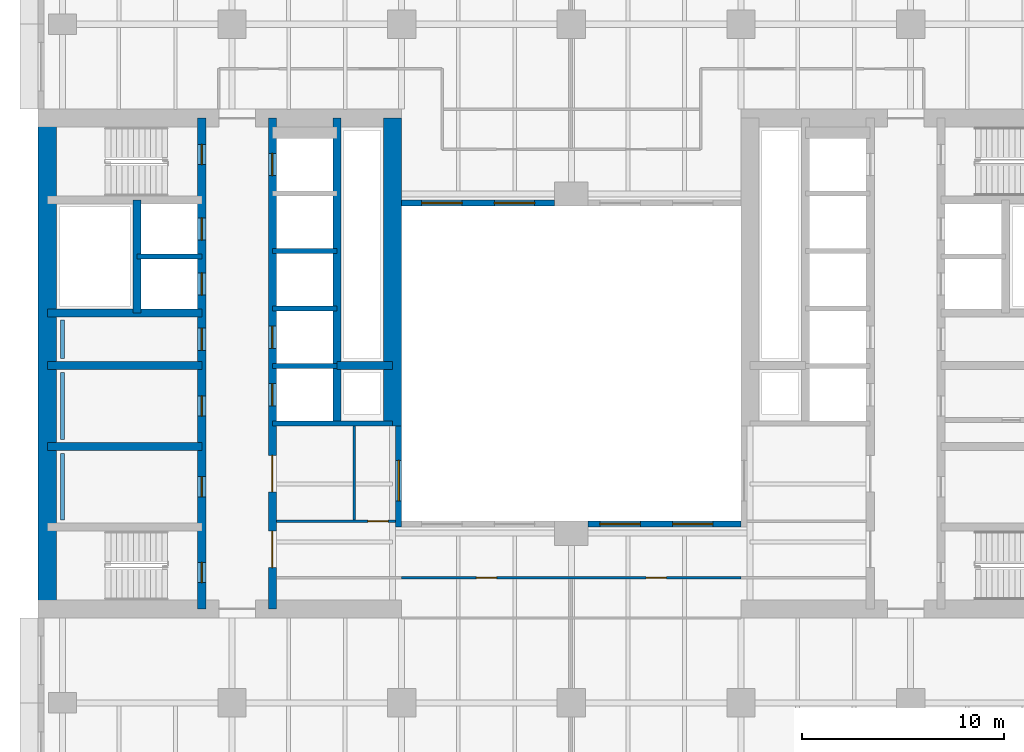
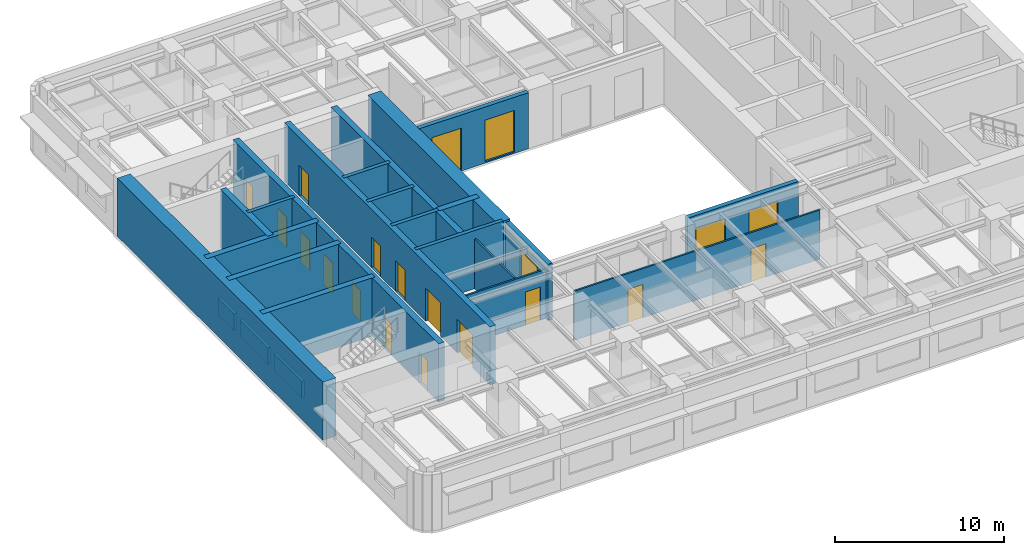
# One storey, part 4 of 11: 24 walls, 15 doors, 5 windows, 20 openings.
"""IFC4 building model written with IfcOpenShell, lengths in metres."""

import ifcopenshell
import ifcopenshell.guid

model = None  # the IFC model being written
_history = None  # IfcOwnerHistory: only IFC2X3 demands one
_inside = {}  # id of a spatial element -> (the spatial element, [elements in it])
_under = {}  # id of a project, library or spatial element -> (it, [spatial elements below it])
_declared = {}  # id of a project -> (the project, [libraries it declares])
_typed = {}  # id of a type object -> (the type object, [elements of that type])
_made_of = {}  # id of a material, layer set ... -> (it, [elements and type objects made of it])


def new_model(schema):
    """Start an empty IFC model of exactly this schema.

    Asked for "IFC4X3", IfcOpenShell would pick the latest addendum, in which some entities
    have other attributes; the version numbers below select the first issue.
    IFC2X3 requires an IfcOwnerHistory on every rooted entity: one is made here for all.
    """
    global model, _history
    if schema == "IFC4X3":
        model = ifcopenshell.file(schema_version=(4, 3, 0, 0))
    else:
        model = ifcopenshell.file(schema=schema)
    _inside.clear()
    _under.clear()
    _declared.clear()
    _typed.clear()
    _made_of.clear()
    _history = None
    if model.schema == "IFC2X3":
        org = make("IfcOrganization", Name="unknown")
        user = make(
            "IfcPersonAndOrganization",
            ThePerson=make("IfcPerson", FamilyName="unknown"),
            TheOrganization=org,
        )
        app = make(
            "IfcApplication",
            ApplicationDeveloper=org,
            Version="unknown",
            ApplicationFullName="unknown",
            ApplicationIdentifier="unknown",
        )
        _history = make(
            "IfcOwnerHistory",
            OwningUser=user,
            OwningApplication=app,
            ChangeAction="ADDED",
            CreationDate=0,
        )
    return model


def make(cls, **values):
    """One entity of the class cls with the attributes given. An attribute that is None is left unset."""
    return model.create_entity(
        cls, **{name: value for name, value in values.items() if value is not None}
    )


def rooted(cls, **values):
    """An entity with a GlobalId (a new one), such as an element, a storey or a relation."""
    return make(cls, GlobalId=ifcopenshell.guid.new(), OwnerHistory=_history, **values)


def si_unit(unit_type, name, prefix=None):
    """IfcSIUnit, for example si_unit("LENGTHUNIT", "METRE", prefix="MILLI")."""
    return make("IfcSIUnit", UnitType=unit_type, Prefix=prefix, Name=name)


def assignment(units):
    """IfcUnitAssignment: the units of a project."""
    return None if units is None else make("IfcUnitAssignment", Units=units)


def point(xyz):
    """IfcCartesianPoint."""
    return None if xyz is None else make("IfcCartesianPoint", Coordinates=xyz)


def direction(xyz):
    """IfcDirection."""
    return None if xyz is None else make("IfcDirection", DirectionRatios=xyz)


def frame(location, z_axis=None, x_axis=None):
    """IfcAxis2Placement3D, a coordinate frame: its origin and axes. An axis left out is left unset."""
    return make(
        "IfcAxis2Placement3D",
        Location=point(location),
        Axis=direction(z_axis),
        RefDirection=direction(x_axis),
    )


def frame_2d(location, x_axis=None):
    """IfcAxis2Placement2D, a coordinate frame in the plane: its origin and x axis."""
    return make(
        "IfcAxis2Placement2D", Location=point(location), RefDirection=direction(x_axis)
    )


def origin():
    """The frame at (0, 0, 0) with its axes left unset."""
    return frame((0.0, 0.0, 0.0))


def place(relative_to, where):
    """IfcLocalPlacement: puts the frame where relative to a parent placement (None: the world)."""
    return make(
        "IfcLocalPlacement", PlacementRelTo=relative_to, RelativePlacement=where
    )


def context(
    kind, dimensions, precision=None, world=None, true_north=None, identifier=None
):
    """IfcGeometricRepresentationContext, for example the 3D "Model" context."""
    return make(
        "IfcGeometricRepresentationContext",
        ContextIdentifier=identifier,
        ContextType=kind,
        CoordinateSpaceDimension=dimensions,
        Precision=precision,
        WorldCoordinateSystem=world,
        TrueNorth=true_north,
    )


def subcontext(parent, identifier, kind, view, scale=None):
    """IfcGeometricRepresentationSubContext, for example "Body" below "Model"."""
    return make(
        "IfcGeometricRepresentationSubContext",
        ContextIdentifier=identifier,
        ContextType=kind,
        ParentContext=parent,
        TargetScale=scale,
        TargetView=view,
    )


def project(units=None, contexts=None):
    """IfcProject with its units and contexts."""
    return rooted(
        "IfcProject",
        Name="project",
        RepresentationContexts=contexts,
        UnitsInContext=assignment(units),
    )


def spatial(cls, under=None, at=None, **own):
    """A site, building, storey or space (cls), placed at a placement, below another one or the project."""
    s = rooted(cls, ObjectPlacement=at, **own)
    if under is not None:
        _under.setdefault(under.id(), (under, []))[1].append(s)
    return s


def profile(cls, at=None, kind="AREA", **sizes):
    """A parametric profile (cls). Its sizes go by their IFC names, for example OverallWidth=200.0."""
    return make(cls, ProfileType=kind, Position=at, **sizes)


def rectangle(**sizes):
    """IfcRectangleProfileDef."""
    return profile("IfcRectangleProfileDef", **sizes)


def extrude(swept, where, along, depth):
    """IfcExtrudedAreaSolid: the profile swept, set in the frame where, extruded along a direction by depth."""
    return make(
        "IfcExtrudedAreaSolid",
        SweptArea=swept,
        Position=where,
        ExtrudedDirection=direction(along),
        Depth=depth,
    )


def shape(context_of_items, identifier, shape_type, items):
    """IfcShapeRepresentation: the items that make up one representation, for example the "Body"."""
    return make(
        "IfcShapeRepresentation",
        ContextOfItems=context_of_items,
        RepresentationIdentifier=identifier,
        RepresentationType=shape_type,
        Items=items,
    )


def material(Name=None, Category=None):
    """IfcMaterial."""
    return make("IfcMaterial", Name=Name, Category=Category)


def layer(
    of_material, thickness, ventilated=None, Name=None, Category=None, Priority=None
):
    """IfcMaterialLayer: one layer of a wall or slab, of a material (None: an air gap)."""
    return make(
        "IfcMaterialLayer",
        Material=of_material,
        LayerThickness=thickness,
        IsVentilated=ventilated,
        Name=Name,
        Category=Category,
        Priority=Priority,
    )


def layer_set(layers, Name=None):
    """IfcMaterialLayerSet."""
    return make("IfcMaterialLayerSet", MaterialLayers=layers, LayerSetName=Name)


def made_of(thing, what):
    """Note that an element or type object is made of a material, layer set ...; save() writes the relation."""
    if what is not None:
        _made_of.setdefault(what.id(), (what, []))[1].append(thing)
    return thing


def type_object(cls, material=None, **own):
    """A type object (cls), such as IfcWallType, which elements share."""
    return made_of(rooted(cls, **own), material)


def element(
    cls,
    number,
    at=None,
    inside=None,
    cuts=None,
    type_object=None,
    material=None,
    context=None,
    identifier="Body",
    shape_type=None,
    held_by="IfcProductDefinitionShape",
    body=None,
    shapes=None,
    **own,
):
    """One element of the class cls, such as IfcWall. Its Tag is "e" and its number.

    at: its placement. inside: the storey or other place that contains it. cuts: it is an
    opening in that element (IfcRelVoidsElement). A single representation is given by context,
    identifier, shape_type and body (its items); several are given by shapes. held_by: the class
    of the entity that holds the representations. save() writes the other relations.
    """
    e = rooted(cls, Tag="e%d" % number, ObjectPlacement=at, **own)
    if body is not None:
        shapes = [shape(context, identifier, shape_type, body)]
    if shapes is not None:
        e.Representation = make(held_by, Representations=shapes)
    if inside is not None:
        _inside.setdefault(inside.id(), (inside, []))[1].append(e)
    if cuts is not None:
        rooted(
            "IfcRelVoidsElement", RelatingBuildingElement=cuts, RelatedOpeningElement=e
        )
    if type_object is not None:
        _typed.setdefault(type_object.id(), (type_object, []))[1].append(e)
    return made_of(e, material)


def fill(opening, filler):
    """IfcRelFillsElement: the door or window that sits in an opening."""
    return rooted(
        "IfcRelFillsElement",
        RelatingOpeningElement=opening,
        RelatedBuildingElement=filler,
    )


def aggregate(whole, parts):
    """IfcRelAggregates: a whole, such as a stair, and the parts it consists of."""
    return rooted("IfcRelAggregates", RelatingObject=whole, RelatedObjects=parts)


def save(model, path):
    """Write the relations noted so far, then the file.

    IfcRelAggregates (storeys below a building ...), IfcRelContainedInSpatialStructure (elements
    in a storey), IfcRelDefinesByType, IfcRelAssociatesMaterial and IfcRelDeclares: one each for
    every whole, place, type object, material and project.
    """
    for whole, parts in _under.values():
        aggregate(whole, parts)
    for where, things in _inside.values():
        rooted(
            "IfcRelContainedInSpatialStructure",
            RelatedElements=things,
            RelatingStructure=where,
        )
    for kind, things in _typed.values():
        rooted("IfcRelDefinesByType", RelatedObjects=things, RelatingType=kind)
    for what, things in _made_of.values():
        rooted("IfcRelAssociatesMaterial", RelatedObjects=things, RelatingMaterial=what)
    for by, libraries in _declared.values():
        rooted("IfcRelDeclares", RelatingContext=by, RelatedDefinitions=libraries)
    model.write(path)


model = new_model("IFC4")

# Units and contexts
model_context = context("Model", 3, precision=1e-05, world=origin(), true_north=direction((0.0, 1.0)))
body_context = subcontext(model_context, "Body", "Model", "MODEL_VIEW")
ifc_project = project(units=[si_unit("LENGTHUNIT", "METRE"), si_unit("AREAUNIT", "SQUARE_METRE"), si_unit("VOLUMEUNIT", "CUBIC_METRE"), si_unit("PLANEANGLEUNIT", "RADIAN"), si_unit("MASSUNIT", "GRAM", prefix="KILO")], contexts=[model_context])

# Site, building, storey
site_placement = place(None, origin())
site = spatial("IfcSite", under=ifc_project, at=site_placement, CompositionType="ELEMENT")
building_placement = place(site_placement, origin())
building = spatial("IfcBuilding", under=site, at=building_placement, Name="Claustro Exchange Tower", CompositionType="ELEMENT")
storey_placement = place(building_placement, frame((0.0, 0.0, 134.39990234375)))
storey = spatial("IfcBuildingStorey", under=building, at=storey_placement, Name="L30", CompositionType="ELEMENT", Elevation=134.39990234375)

# Wall, opening, door
ifc_material_1 = material(Name="Laminated glass in aluminium frame", Category="aluminium")
ifc_layer_1 = layer(ifc_material_1, 0.1201171875)
ifc_layer_set_1 = layer_set([ifc_layer_1], Name="Laminated glass in aluminium frame")
wall_type_1 = type_object("IfcWallType", Name="P2 120 glazed partition", PredefinedType="PARTITIONING", material=ifc_layer_set_1)
wall_1_placement = place(storey_placement, frame((10.597900390625, 17.39990234375, 0.0), z_axis=(0.0, 0.0, 1.0), x_axis=(1.0, 0.0, 0.0)))
wall_1 = element("IfcWall", 1, at=wall_1_placement, inside=storey, type_object=wall_type_1, Name="Partition P2 L30", PredefinedType="PARTITIONING", context=body_context, shape_type="SweptSolid", body=[
    extrude(rectangle(XDim=5.904052734375, YDim=0.1201171875, at=frame_2d((2.9521484375, 0.0))), origin(), (0.0, 0.0, 1.0), 3.550048828125),
])
opening_1_placement = place(wall_1_placement, frame((4.52392578125, 0.0, 0.0)))
opening_1 = element("IfcOpeningElement", 2, at=opening_1_placement, cuts=wall_1, Name="Opening D7", PredefinedType="OPENING", context=body_context, shape_type="SweptSolid", body=[
    extrude(rectangle(XDim=1.0, YDim=2.39990234375, at=frame_2d((0.5, 1.199951171875))), frame((0.0, 0.070068359375, 0.0), z_axis=(0.0, -1.0, 0.0), x_axis=(1.0, 0.0, 0.0)), (0.0, 0.0, 1.0), 0.14013671875),
])
ifc_material_2 = material(Name="Glass door in aluminium frame", Category="aluminium")
door_type_1 = type_object("IfcDoorType", Name="D7 1000 x 2400 glazed door", OperationType="SINGLE_SWING_LEFT", PredefinedType="DOOR", material=ifc_material_2)
door_1_placement = place(opening_1_placement, origin())
door_1 = element("IfcDoor", 3, at=door_1_placement, inside=storey, type_object=door_type_1, Name="Door D7 L30", OperationType="SINGLE_SWING_LEFT", OverallHeight=2.39990234375, OverallWidth=1.0, PredefinedType="DOOR", context=body_context, shape_type="SweptSolid", body=[
    extrude(rectangle(XDim=1.0, YDim=2.39990234375, at=frame_2d((0.5, 1.199951171875))), frame((0.0, 0.02490234375, 0.0), z_axis=(0.0, -1.0, 0.0), x_axis=(1.0, 0.0, 0.0)), (0.0, 0.0, 1.0), 0.050048828125),
])
fill(opening_1, door_1)

# Wall
wall_2_placement = place(storey_placement, frame((14.444091796875, 17.4580078125, 0.0), z_axis=(0.0, 0.0, 1.0), x_axis=(0.0, 1.0, 0.0)))
element("IfcWall", 4, at=wall_2_placement, inside=storey, type_object=wall_type_1, Name="Partition P2 L30", PredefinedType="PARTITIONING", context=body_context, shape_type="SweptSolid", body=[
    extrude(rectangle(XDim=4.64404296875, YDim=0.1201171875, at=frame_2d((2.322021484375, 0.0))), origin(), (0.0, 0.0, 1.0), 3.60009765625),
])

# Wall, openings, doors
wall_3_placement = place(storey_placement, frame((16.798095703125, 14.60009765625, 0.0), z_axis=(0.0, 0.0, 1.0), x_axis=(1.0, 0.0, 0.0)))
wall_3 = element("IfcWall", 5, at=wall_3_placement, inside=storey, type_object=wall_type_1, Name="Partition P2 L30", PredefinedType="PARTITIONING", context=body_context, shape_type="SweptSolid", body=[
    extrude(rectangle(XDim=16.803955078125, YDim=0.1201171875, at=frame_2d((8.40185546875, 0.0))), origin(), (0.0, 0.0, 1.0), 3.550048828125),
])
opening_2_placement = place(wall_3_placement, frame((3.701904296875, 0.0, 0.0)))
opening_2 = element("IfcOpeningElement", 6, at=opening_2_placement, cuts=wall_3, Name="Opening D7", PredefinedType="OPENING", context=body_context, shape_type="SweptSolid", body=[
    extrude(rectangle(XDim=1.0, YDim=2.39990234375, at=frame_2d((0.5, 1.199951171875))), frame((0.0, 0.070068359375, 0.0), z_axis=(0.0, -1.0, 0.0), x_axis=(1.0, 0.0, 0.0)), (0.0, 0.0, 1.0), 0.14013671875),
])
opening_3_placement = place(wall_3_placement, frame((12.10205078125, 0.0, 0.0)))
opening_3 = element("IfcOpeningElement", 7, at=opening_3_placement, cuts=wall_3, Name="Opening D7", PredefinedType="OPENING", context=body_context, shape_type="SweptSolid", body=[
    extrude(rectangle(XDim=1.0, YDim=2.39990234375, at=frame_2d((0.5, 1.199951171875))), frame((0.0, 0.070068359375, 0.0), z_axis=(0.0, -1.0, 0.0), x_axis=(1.0, 0.0, 0.0)), (0.0, 0.0, 1.0), 0.14013671875),
])
door_2_placement = place(opening_2_placement, frame((1.0, 0.0, 0.0), z_axis=(0.0, 0.0, 1.0), x_axis=(-1.0, 0.0, 0.0)))
door_2 = element("IfcDoor", 8, at=door_2_placement, inside=storey, type_object=door_type_1, Name="Door D7 L30", OperationType="SINGLE_SWING_RIGHT", OverallHeight=2.39990234375, OverallWidth=1.0, PredefinedType="DOOR", context=body_context, shape_type="SweptSolid", body=[
    extrude(rectangle(XDim=1.0, YDim=2.39990234375, at=frame_2d((0.5, 1.199951171875))), frame((0.0, 0.02490234375, 0.0), z_axis=(0.0, -1.0, 0.0), x_axis=(1.0, 0.0, 0.0)), (0.0, 0.0, 1.0), 0.050048828125),
])
fill(opening_2, door_2)
door_3_placement = place(opening_3_placement, frame((1.0, 0.0, 0.0), z_axis=(0.0, 0.0, 1.0), x_axis=(-1.0, 0.0, 0.0)))
door_3 = element("IfcDoor", 9, at=door_3_placement, inside=storey, type_object=door_type_1, Name="Door D7 L30", OperationType="SINGLE_SWING_RIGHT", OverallHeight=2.39990234375, OverallWidth=1.0, PredefinedType="DOOR", context=body_context, shape_type="SweptSolid", body=[
    extrude(rectangle(XDim=1.0, YDim=2.39990234375, at=frame_2d((0.5, 1.199951171875))), frame((0.0, 0.02490234375, 0.0), z_axis=(0.0, -1.0, 0.0), x_axis=(1.0, 0.0, 0.0)), (0.0, 0.0, 1.0), 0.050048828125),
])
fill(opening_3, door_3)

# Wall, opening, window
ifc_material_3 = material(Name="Concrete HA-40 (C40/50), precast, white cement, acid-etched", Category="concrete")
ifc_layer_2 = layer(ifc_material_3, 0.300048828125)
ifc_layer_set_2 = layer_set([ifc_layer_2], Name="Concrete HA-40 (C40/50), precast, white cement, acid-etched")
wall_type_2 = type_object("IfcWallType", Name="PC1 300 precast concrete pier panel", PredefinedType="SOLIDWALL", material=ifc_layer_set_2)
wall_4_placement = place(storey_placement, frame((16.64990234375, 17.10009765625, 0.0), z_axis=(0.0, 0.0, 1.0), x_axis=(0.0, 1.0, 0.0)))
wall_4 = element("IfcWall", 10, at=wall_4_placement, inside=storey, type_object=wall_type_2, Name="Precast pier panel PC1 L30", PredefinedType="SOLIDWALL", context=body_context, shape_type="SweptSolid", body=[
    extrude(rectangle(XDim=5.0, YDim=0.300048828125, at=frame_2d((2.5, 0.0))), origin(), (0.0, 0.0, 1.0), 4.050048828125),
])
opening_4_placement = place(wall_4_placement, frame((1.300048828125, 0.0, 0.10009765625)))
opening_4 = element("IfcOpeningElement", 11, at=opening_4_placement, cuts=wall_4, Name="Opening W-A", PredefinedType="OPENING", context=body_context, shape_type="SweptSolid", body=[
    extrude(rectangle(XDim=2.0, YDim=3.0, at=frame_2d((1.0, 1.5))), frame((0.0, 0.159912109375, 0.0), z_axis=(0.0, -1.0, 0.0), x_axis=(1.0, 0.0, 0.0)), (0.0, 0.0, 1.0), 0.320068359375),
])
ifc_material_4 = material(Name="Aluminium frame, clear double glazing", Category="aluminium")
window_type = type_object("IfcWindowType", Name="W-A 2000 x 3000 arcade window", PartitioningType="SINGLE_PANEL", PredefinedType="WINDOW", material=ifc_material_4)
window_1_placement = place(opening_4_placement, origin())
window_1 = element("IfcWindow", 12, at=window_1_placement, inside=storey, type_object=window_type, Name="Window W-A L30", OverallHeight=3.0, OverallWidth=2.0, PartitioningType="SINGLE_PANEL", PredefinedType="WINDOW", context=body_context, shape_type="SweptSolid", body=[
    extrude(rectangle(XDim=2.0, YDim=3.0, at=frame_2d((1.0, 1.5))), frame((0.0, 0.030029296875, 0.0), z_axis=(0.0, -1.0, 0.0), x_axis=(1.0, 0.0, 0.0)), (0.0, 0.0, 1.0), 0.06005859375),
])
fill(opening_4, window_1)

# Wall, openings, windows
wall_5_placement = place(storey_placement, frame((26.02490234375, 17.25, 0.0), z_axis=(0.0, 0.0, 1.0), x_axis=(1.0, 0.0, 0.0)))
wall_5 = element("IfcWall", 13, at=wall_5_placement, inside=storey, type_object=wall_type_2, Name="Precast pier panel PC1 L30", PredefinedType="SOLIDWALL", context=body_context, shape_type="SweptSolid", body=[
    extrude(rectangle(XDim=7.5751953125, YDim=0.300048828125, at=frame_2d((3.78759765625, 0.0))), origin(), (0.0, 0.0, 1.0), 4.050048828125),
])
opening_5_placement = place(wall_5_placement, frame((0.58740234375, 0.0, 0.10009765625)))
opening_5 = element("IfcOpeningElement", 14, at=opening_5_placement, cuts=wall_5, Name="Opening W-A", PredefinedType="OPENING", context=body_context, shape_type="SweptSolid", body=[
    extrude(rectangle(XDim=2.0, YDim=3.0, at=frame_2d((1.0, 1.5))), frame((0.0, 0.159912109375, 0.0), z_axis=(0.0, -1.0, 0.0), x_axis=(1.0, 0.0, 0.0)), (0.0, 0.0, 1.0), 0.320068359375),
])
opening_6_placement = place(wall_5_placement, frame((4.1875, 0.0, 0.10009765625)))
opening_6 = element("IfcOpeningElement", 15, at=opening_6_placement, cuts=wall_5, Name="Opening W-A", PredefinedType="OPENING", context=body_context, shape_type="SweptSolid", body=[
    extrude(rectangle(XDim=2.0, YDim=3.0, at=frame_2d((1.0, 1.5))), frame((0.0, 0.159912109375, 0.0), z_axis=(0.0, -1.0, 0.0), x_axis=(1.0, 0.0, 0.0)), (0.0, 0.0, 1.0), 0.320068359375),
])
window_2_placement = place(opening_5_placement, origin())
window_2 = element("IfcWindow", 16, at=window_2_placement, inside=storey, type_object=window_type, Name="Window W-A L30", OverallHeight=3.0, OverallWidth=2.0, PartitioningType="SINGLE_PANEL", PredefinedType="WINDOW", context=body_context, shape_type="SweptSolid", body=[
    extrude(rectangle(XDim=2.0, YDim=3.0, at=frame_2d((1.0, 1.5))), frame((0.0, 0.030029296875, 0.0), z_axis=(0.0, -1.0, 0.0), x_axis=(1.0, 0.0, 0.0)), (0.0, 0.0, 1.0), 0.06005859375),
])
fill(opening_5, window_2)
window_3_placement = place(opening_6_placement, origin())
window_3 = element("IfcWindow", 17, at=window_3_placement, inside=storey, type_object=window_type, Name="Window W-A L30", OverallHeight=3.0, OverallWidth=2.0, PartitioningType="SINGLE_PANEL", PredefinedType="WINDOW", context=body_context, shape_type="SweptSolid", body=[
    extrude(rectangle(XDim=2.0, YDim=3.0, at=frame_2d((1.0, 1.5))), frame((0.0, 0.030029296875, 0.0), z_axis=(0.0, -1.0, 0.0), x_axis=(1.0, 0.0, 0.0)), (0.0, 0.0, 1.0), 0.06005859375),
])
fill(opening_6, window_3)

wall_6_placement = place(storey_placement, frame((16.800048828125, 33.14990234375, 0.0), z_axis=(0.0, 0.0, 1.0), x_axis=(1.0, 0.0, 0.0)))
wall_6 = element("IfcWall", 18, at=wall_6_placement, inside=storey, type_object=wall_type_2, Name="Precast pier panel PC1 L30", PredefinedType="SOLIDWALL", context=body_context, shape_type="SweptSolid", body=[
    extrude(rectangle(XDim=7.574951171875, YDim=0.300048828125, at=frame_2d((3.78759765625, 0.0))), origin(), (0.0, 0.0, 1.0), 4.050048828125),
])
opening_7_placement = place(wall_6_placement, frame((0.987548828125, 0.0, 0.10009765625)))
opening_7 = element("IfcOpeningElement", 19, at=opening_7_placement, cuts=wall_6, Name="Opening W-A", PredefinedType="OPENING", context=body_context, shape_type="SweptSolid", body=[
    extrude(rectangle(XDim=2.0, YDim=3.0, at=frame_2d((1.0, 1.5))), frame((0.0, 0.159912109375, 0.0), z_axis=(0.0, -1.0, 0.0), x_axis=(1.0, 0.0, 0.0)), (0.0, 0.0, 1.0), 0.320068359375),
])
opening_8_placement = place(wall_6_placement, frame((4.58740234375, 0.0, 0.10009765625)))
opening_8 = element("IfcOpeningElement", 20, at=opening_8_placement, cuts=wall_6, Name="Opening W-A", PredefinedType="OPENING", context=body_context, shape_type="SweptSolid", body=[
    extrude(rectangle(XDim=2.0, YDim=3.0, at=frame_2d((1.0, 1.5))), frame((0.0, 0.159912109375, 0.0), z_axis=(0.0, -1.0, 0.0), x_axis=(1.0, 0.0, 0.0)), (0.0, 0.0, 1.0), 0.320068359375),
])
window_4_placement = place(opening_7_placement, origin())
window_4 = element("IfcWindow", 21, at=window_4_placement, inside=storey, type_object=window_type, Name="Window W-A L30", OverallHeight=3.0, OverallWidth=2.0, PartitioningType="SINGLE_PANEL", PredefinedType="WINDOW", context=body_context, shape_type="SweptSolid", body=[
    extrude(rectangle(XDim=2.0, YDim=3.0, at=frame_2d((1.0, 1.5))), frame((0.0, 0.030029296875, 0.0), z_axis=(0.0, -1.0, 0.0), x_axis=(1.0, 0.0, 0.0)), (0.0, 0.0, 1.0), 0.06005859375),
])
fill(opening_7, window_4)
window_5_placement = place(opening_8_placement, origin())
window_5 = element("IfcWindow", 22, at=window_5_placement, inside=storey, type_object=window_type, Name="Window W-A L30", OverallHeight=3.0, OverallWidth=2.0, PartitioningType="SINGLE_PANEL", PredefinedType="WINDOW", context=body_context, shape_type="SweptSolid", body=[
    extrude(rectangle(XDim=2.0, YDim=3.0, at=frame_2d((1.0, 1.5))), frame((0.0, 0.030029296875, 0.0), z_axis=(0.0, -1.0, 0.0), x_axis=(1.0, 0.0, 0.0)), (0.0, 0.0, 1.0), 0.06005859375),
])
fill(opening_8, window_5)

# Walls
ifc_material_5 = material(Name="Gypsum board on steel studs, tiled", Category="steel")
ifc_layer_3 = layer(ifc_material_5, 0.199951171875)
ifc_layer_set_3 = layer_set([ifc_layer_3], Name="Gypsum board on steel studs, tiled")
wall_type_3 = type_object("IfcWallType", Name="PW1 200 WC duct wall", PredefinedType="PLUMBINGWALL", material=ifc_layer_set_3)
for number, where, z_axis, x_axis, name in (
    (23, (0.0, 17.449951171875, 0.0), (0.0, 0.0, 1.0), (0.0, 1.0, 0.0), "WC duct wall PW1 L30"),
    (24, (0.0, 21.449951171875, 0.0), (0.0, 0.0, 1.0), (0.0, 1.0, 0.0), "WC duct wall PW1 L30"),
):
    element("IfcWall", number, at=place(storey_placement, frame(where, z_axis=z_axis, x_axis=x_axis)), inside=storey, type_object=wall_type_3, Name=name, PredefinedType="PLUMBINGWALL", context=body_context, shape_type="SweptSolid", body=[
        extrude(rectangle(XDim=3.300048828125, YDim=0.199951171875, at=frame_2d((1.64990234375, 0.0))), origin(), (0.0, 0.0, 1.0), 1.2001953125),
    ])
wall_7_placement = place(storey_placement, frame((0.0, 25.449951171875, 0.0), z_axis=(0.0, 0.0, 1.0), x_axis=(0.0, 1.0, 0.0)))
element("IfcWall", 25, at=wall_7_placement, inside=storey, type_object=wall_type_3, Name="WC duct wall PW1 L30", PredefinedType="PLUMBINGWALL", context=body_context, shape_type="SweptSolid", body=[
    extrude(rectangle(XDim=1.900146484375, YDim=0.199951171875, at=frame_2d((0.9501953125, 0.0))), origin(), (0.0, 0.0, 1.0), 1.2001953125),
])
ifc_material_6 = material(Name="Concrete HA-70 (C70/85)", Category="concrete")
ifc_layer_4 = layer(ifc_material_6, 0.89990234375)
ifc_layer_set_4 = layer_set([ifc_layer_4], Name="Concrete HA-70 (C70/85)")
wall_type_4 = type_object("IfcWallType", Name="SW1X 900 exposed core shear wall, board-marked face", PredefinedType="SHEAR", material=ifc_layer_set_4)
wall_8_placement = place(storey_placement, frame((-0.75, 13.050048828125, 0.0), z_axis=(0.0, 0.0, 1.0), x_axis=(0.0, 1.0, 0.0)))
element("IfcWall", 26, at=wall_8_placement, inside=storey, type_object=wall_type_4, Name="Core wall SW1X W core W face L30", PredefinedType="SHEAR", context=body_context, shape_type="SweptSolid", body=[
    extrude(rectangle(XDim=24.300048828125, YDim=0.89990234375, at=frame_2d((12.14990234375, 0.0))), origin(), (0.0, 0.0, 1.0), 4.2001953125),
])
wall_9_placement = place(storey_placement, frame((16.35009765625, 22.10009765625, 0.0), z_axis=(0.0, 0.0, 1.0), x_axis=(0.0, 1.0, 0.0)))
element("IfcWall", 27, at=wall_9_placement, inside=storey, type_object=wall_type_4, Name="Core wall SW1X W core E face L30", PredefinedType="SHEAR", context=body_context, shape_type="SweptSolid", body=[
    extrude(rectangle(XDim=15.25, YDim=0.89990234375, at=frame_2d((7.625, 0.0))), origin(), (0.0, 0.0, 1.0), 4.2001953125),
])

# Wall, openings, doors
ifc_material_7 = material(Name="Concrete HA-50 (C50/60)", Category="concrete")
ifc_layer_5 = layer(ifc_material_7, 0.39990234375)
ifc_layer_set_5 = layer_set([ifc_layer_5], Name="Concrete HA-50 (C50/60)")
wall_type_5 = type_object("IfcWallType", Name="SW4 400 internal core wall", PredefinedType="SHEAR", material=ifc_layer_set_5)
wall_10_placement = place(storey_placement, frame((6.89990234375, 13.050048828125, 0.0), z_axis=(0.0, 0.0, 1.0), x_axis=(0.0, 1.0, 0.0)))
wall_10 = element("IfcWall", 28, at=wall_10_placement, inside=storey, type_object=wall_type_5, Name="Internal core wall SW4 W core L30", PredefinedType="SHEAR", context=body_context, shape_type="SweptSolid", body=[
    extrude(rectangle(XDim=24.300048828125, YDim=0.39990234375, at=frame_2d((12.14990234375, 0.0))), origin(), (0.0, 0.0, 1.0), 4.2001953125),
])
opening_9_placement = place(wall_10_placement, frame((1.300048828125, 0.0, 0.0)))
opening_9 = element("IfcOpeningElement", 29, at=opening_9_placement, cuts=wall_10, Name="Opening D4", PredefinedType="OPENING", context=body_context, shape_type="SweptSolid", body=[
    extrude(rectangle(XDim=1.0, YDim=2.199951171875, at=frame_2d((0.5, 1.10009765625))), frame((0.0, 0.2099609375, 0.0), z_axis=(0.0, -1.0, 0.0), x_axis=(1.0, 0.0, 0.0)), (0.0, 0.0, 1.0), 0.419921875),
])
opening_10_placement = place(wall_10_placement, frame((22.0, 0.0, 0.0)))
opening_10 = element("IfcOpeningElement", 30, at=opening_10_placement, cuts=wall_10, Name="Opening D4", PredefinedType="OPENING", context=body_context, shape_type="SweptSolid", body=[
    extrude(rectangle(XDim=1.0, YDim=2.199951171875, at=frame_2d((0.5, 1.10009765625))), frame((0.0, 0.2099609375, 0.0), z_axis=(0.0, -1.0, 0.0), x_axis=(1.0, 0.0, 0.0)), (0.0, 0.0, 1.0), 0.419921875),
])
opening_11_placement = place(wall_10_placement, frame((5.550048828125, 0.0, 0.0)))
opening_11 = element("IfcOpeningElement", 31, at=opening_11_placement, cuts=wall_10, Name="Opening D1", PredefinedType="OPENING", context=body_context, shape_type="SweptSolid", body=[
    extrude(rectangle(XDim=1.0, YDim=2.199951171875, at=frame_2d((0.5, 1.10009765625))), frame((0.0, 0.2099609375, 0.0), z_axis=(0.0, -1.0, 0.0), x_axis=(1.0, 0.0, 0.0)), (0.0, 0.0, 1.0), 0.419921875),
])
opening_12_placement = place(wall_10_placement, frame((9.550048828125, 0.0, 0.0)))
opening_12 = element("IfcOpeningElement", 32, at=opening_12_placement, cuts=wall_10, Name="Opening D1", PredefinedType="OPENING", context=body_context, shape_type="SweptSolid", body=[
    extrude(rectangle(XDim=1.0, YDim=2.199951171875, at=frame_2d((0.5, 1.10009765625))), frame((0.0, 0.2099609375, 0.0), z_axis=(0.0, -1.0, 0.0), x_axis=(1.0, 0.0, 0.0)), (0.0, 0.0, 1.0), 0.419921875),
])
opening_13_placement = place(wall_10_placement, frame((12.800048828125, 0.0, 0.0)))
opening_13 = element("IfcOpeningElement", 33, at=opening_13_placement, cuts=wall_10, Name="Opening D10", PredefinedType="OPENING", context=body_context, shape_type="SweptSolid", body=[
    extrude(rectangle(XDim=1.10009765625, YDim=2.199951171875, at=frame_2d((0.550048828125, 1.10009765625))), frame((0.0, 0.2099609375, 0.0), z_axis=(0.0, -1.0, 0.0), x_axis=(1.0, 0.0, 0.0)), (0.0, 0.0, 1.0), 0.419921875),
])
opening_14_placement = place(wall_10_placement, frame((15.53759765625, 0.0, 0.0)))
opening_14 = element("IfcOpeningElement", 34, at=opening_14_placement, cuts=wall_10, Name="Opening LD", PredefinedType="OPENING", context=body_context, shape_type="SweptSolid", body=[
    extrude(rectangle(XDim=1.10009765625, YDim=2.199951171875, at=frame_2d((0.550048828125, 1.10009765625))), frame((0.0, 0.2099609375, 0.0), z_axis=(0.0, -1.0, 0.0), x_axis=(1.0, 0.0, 0.0)), (0.0, 0.0, 1.0), 0.419921875),
])
opening_15_placement = place(wall_10_placement, frame((18.262451171875, 0.0, 0.0)))
opening_15 = element("IfcOpeningElement", 35, at=opening_15_placement, cuts=wall_10, Name="Opening LD", PredefinedType="OPENING", context=body_context, shape_type="SweptSolid", body=[
    extrude(rectangle(XDim=1.10009765625, YDim=2.199951171875, at=frame_2d((0.550048828125, 1.10009765625))), frame((0.0, 0.2099609375, 0.0), z_axis=(0.0, -1.0, 0.0), x_axis=(1.0, 0.0, 0.0)), (0.0, 0.0, 1.0), 0.419921875),
])
ifc_material_8 = material(Name="Timber door, oak veneer", Category="wood")
door_type_2 = type_object("IfcDoorType", Name="D1 1000 x 2200 single door", OperationType="SINGLE_SWING_LEFT", PredefinedType="DOOR", material=ifc_material_8)
door_4_placement = place(opening_11_placement, origin())
door_4 = element("IfcDoor", 36, at=door_4_placement, inside=storey, type_object=door_type_2, Name="Door D1 L30", OperationType="SINGLE_SWING_RIGHT", OverallHeight=2.199951171875, OverallWidth=1.0, PredefinedType="DOOR", context=body_context, shape_type="SweptSolid", body=[
    extrude(rectangle(XDim=1.0, YDim=2.199951171875, at=frame_2d((0.5, 1.10009765625))), frame((0.0, 0.02490234375, 0.0), z_axis=(0.0, -1.0, 0.0), x_axis=(1.0, 0.0, 0.0)), (0.0, 0.0, 1.0), 0.050048828125),
])
fill(opening_11, door_4)
door_5_placement = place(opening_12_placement, origin())
door_5 = element("IfcDoor", 37, at=door_5_placement, inside=storey, type_object=door_type_2, Name="Door D1 L30", OperationType="SINGLE_SWING_RIGHT", OverallHeight=2.199951171875, OverallWidth=1.0, PredefinedType="DOOR", context=body_context, shape_type="SweptSolid", body=[
    extrude(rectangle(XDim=1.0, YDim=2.199951171875, at=frame_2d((0.5, 1.10009765625))), frame((0.0, 0.02490234375, 0.0), z_axis=(0.0, -1.0, 0.0), x_axis=(1.0, 0.0, 0.0)), (0.0, 0.0, 1.0), 0.050048828125),
])
fill(opening_12, door_5)
ifc_material_9 = material(Name="Timber door, oak veneer", Category="wood")
door_type_3 = type_object("IfcDoorType", Name="D10 1100 x 2200 accessible WC door", OperationType="SINGLE_SWING_LEFT", PredefinedType="DOOR", material=ifc_material_9)
door_6_placement = place(opening_13_placement, frame((1.10009765625, 0.0, 0.0), z_axis=(0.0, 0.0, 1.0), x_axis=(-1.0, 0.0, 0.0)))
door_6 = element("IfcDoor", 38, at=door_6_placement, inside=storey, type_object=door_type_3, Name="Accessible WC door D10 L30", OperationType="SINGLE_SWING_LEFT", OverallHeight=2.199951171875, OverallWidth=1.10009765625, PredefinedType="DOOR", context=body_context, shape_type="SweptSolid", body=[
    extrude(rectangle(XDim=1.10009765625, YDim=2.199951171875, at=frame_2d((0.550048828125, 1.10009765625))), frame((0.0, 0.02490234375, 0.0), z_axis=(0.0, -1.0, 0.0), x_axis=(1.0, 0.0, 0.0)), (0.0, 0.0, 1.0), 0.050048828125),
])
fill(opening_13, door_6)
ifc_material_10 = material(Name="Steel fire door, painted", Category="steel")
door_type_4 = type_object("IfcDoorType", Name="D4 1000 x 2200 fire-rated stair door", OperationType="SINGLE_SWING_LEFT", PredefinedType="DOOR", material=ifc_material_10)
door_7_placement = place(opening_9_placement, origin())
door_7 = element("IfcDoor", 39, at=door_7_placement, inside=storey, type_object=door_type_4, Name="Stair door D4 L30", OperationType="SINGLE_SWING_LEFT", OverallHeight=2.199951171875, OverallWidth=1.0, PredefinedType="DOOR", context=body_context, shape_type="SweptSolid", body=[
    extrude(rectangle(XDim=1.0, YDim=2.199951171875, at=frame_2d((0.5, 1.10009765625))), frame((0.0, 0.02490234375, 0.0), z_axis=(0.0, -1.0, 0.0), x_axis=(1.0, 0.0, 0.0)), (0.0, 0.0, 1.0), 0.050048828125),
])
fill(opening_9, door_7)
door_8_placement = place(opening_10_placement, origin())
door_8 = element("IfcDoor", 40, at=door_8_placement, inside=storey, type_object=door_type_4, Name="Stair door D4 L30", OperationType="SINGLE_SWING_RIGHT", OverallHeight=2.199951171875, OverallWidth=1.0, PredefinedType="DOOR", context=body_context, shape_type="SweptSolid", body=[
    extrude(rectangle(XDim=1.0, YDim=2.199951171875, at=frame_2d((0.5, 1.10009765625))), frame((0.0, 0.02490234375, 0.0), z_axis=(0.0, -1.0, 0.0), x_axis=(1.0, 0.0, 0.0)), (0.0, 0.0, 1.0), 0.050048828125),
])
fill(opening_10, door_8)
ifc_material_11 = material(Name="Stainless steel sliding door", Category="steel")
door_type_5 = type_object("IfcDoorType", Name="LD 1100 x 2200 lift landing door", OperationType="DOUBLE_DOOR_SLIDING", PredefinedType="DOOR", material=ifc_material_11)
door_9_placement = place(opening_14_placement, origin())
door_9 = element("IfcDoor", 41, at=door_9_placement, inside=storey, type_object=door_type_5, Name="Lift landing door LEW1 LD L30", OperationType="DOUBLE_DOOR_SLIDING", OverallHeight=2.199951171875, OverallWidth=1.10009765625, PredefinedType="DOOR", context=body_context, shape_type="SweptSolid", body=[
    extrude(rectangle(XDim=1.10009765625, YDim=2.199951171875, at=frame_2d((0.550048828125, 1.10009765625))), frame((0.0, 0.02490234375, 0.0), z_axis=(0.0, -1.0, 0.0), x_axis=(1.0, 0.0, 0.0)), (0.0, 0.0, 1.0), 0.050048828125),
])
fill(opening_14, door_9)
door_10_placement = place(opening_15_placement, origin())
door_10 = element("IfcDoor", 42, at=door_10_placement, inside=storey, type_object=door_type_5, Name="Lift landing door LEW2 LD L30", OperationType="DOUBLE_DOOR_SLIDING", OverallHeight=2.199951171875, OverallWidth=1.10009765625, PredefinedType="DOOR", context=body_context, shape_type="SweptSolid", body=[
    extrude(rectangle(XDim=1.10009765625, YDim=2.199951171875, at=frame_2d((0.550048828125, 1.10009765625))), frame((0.0, 0.02490234375, 0.0), z_axis=(0.0, -1.0, 0.0), x_axis=(1.0, 0.0, 0.0)), (0.0, 0.0, 1.0), 0.050048828125),
])
fill(opening_15, door_10)

wall_11_placement = place(storey_placement, frame((10.39990234375, 13.050048828125, 0.0), z_axis=(0.0, 0.0, 1.0), x_axis=(0.0, 1.0, 0.0)))
wall_11 = element("IfcWall", 43, at=wall_11_placement, inside=storey, type_object=wall_type_5, Name="Internal core wall SW4 W core L30", PredefinedType="SHEAR", context=body_context, shape_type="SweptSolid", body=[
    extrude(rectangle(XDim=24.300048828125, YDim=0.39990234375, at=frame_2d((12.14990234375, 0.0))), origin(), (0.0, 0.0, 1.0), 4.2001953125),
])
opening_16_placement = place(wall_11_placement, frame((10.050048828125, 0.0, 0.0)))
opening_16 = element("IfcOpeningElement", 44, at=opening_16_placement, cuts=wall_11, Name="Opening LD", PredefinedType="OPENING", context=body_context, shape_type="SweptSolid", body=[
    extrude(rectangle(XDim=1.10009765625, YDim=2.199951171875, at=frame_2d((0.550048828125, 1.10009765625))), frame((0.0, 0.2099609375, 0.0), z_axis=(0.0, -1.0, 0.0), x_axis=(1.0, 0.0, 0.0)), (0.0, 0.0, 1.0), 0.419921875),
])
opening_17_placement = place(wall_11_placement, frame((12.89990234375, 0.0, 0.0)))
opening_17 = element("IfcOpeningElement", 45, at=opening_17_placement, cuts=wall_11, Name="Opening LD", PredefinedType="OPENING", context=body_context, shape_type="SweptSolid", body=[
    extrude(rectangle(XDim=1.10009765625, YDim=2.199951171875, at=frame_2d((0.550048828125, 1.10009765625))), frame((0.0, 0.2099609375, 0.0), z_axis=(0.0, -1.0, 0.0), x_axis=(1.0, 0.0, 0.0)), (0.0, 0.0, 1.0), 0.419921875),
])
opening_18_placement = place(wall_11_placement, frame((21.449951171875, 0.0, 0.0)))
opening_18 = element("IfcOpeningElement", 46, at=opening_18_placement, cuts=wall_11, Name="Opening LD", PredefinedType="OPENING", context=body_context, shape_type="SweptSolid", body=[
    extrude(rectangle(XDim=1.10009765625, YDim=2.199951171875, at=frame_2d((0.550048828125, 1.10009765625))), frame((0.0, 0.2099609375, 0.0), z_axis=(0.0, -1.0, 0.0), x_axis=(1.0, 0.0, 0.0)), (0.0, 0.0, 1.0), 0.419921875),
])
opening_19_placement = place(wall_11_placement, frame((2.050048828125, 0.0, 0.0)))
opening_19 = element("IfcOpeningElement", 47, at=opening_19_placement, cuts=wall_11, Name="Opening D3", PredefinedType="OPENING", context=body_context, shape_type="SweptSolid", body=[
    extrude(rectangle(XDim=1.800048828125, YDim=2.39990234375, at=frame_2d((0.89990234375, 1.199951171875))), frame((0.0, 0.2099609375, 0.0), z_axis=(0.0, -1.0, 0.0), x_axis=(1.0, 0.0, 0.0)), (0.0, 0.0, 1.0), 0.419921875),
])
opening_20_placement = place(wall_11_placement, frame((5.800048828125, 0.0, 0.0)))
opening_20 = element("IfcOpeningElement", 48, at=opening_20_placement, cuts=wall_11, Name="Opening D3", PredefinedType="OPENING", context=body_context, shape_type="SweptSolid", body=[
    extrude(rectangle(XDim=1.800048828125, YDim=2.39990234375, at=frame_2d((0.89990234375, 1.199951171875))), frame((0.0, 0.2099609375, 0.0), z_axis=(0.0, -1.0, 0.0), x_axis=(1.0, 0.0, 0.0)), (0.0, 0.0, 1.0), 0.419921875),
])
ifc_material_12 = material(Name="Steel fire door, painted", Category="steel")
door_type_6 = type_object("IfcDoorType", Name="D3 1800 x 2400 fire-rated lobby double door", OperationType="DOUBLE_DOOR_SINGLE_SWING", PredefinedType="DOOR", material=ifc_material_12)
door_11_placement = place(opening_19_placement, origin())
door_11 = element("IfcDoor", 49, at=door_11_placement, inside=storey, type_object=door_type_6, Name="Core zone door D3 L30", OperationType="DOUBLE_DOOR_SINGLE_SWING", OverallHeight=2.39990234375, OverallWidth=1.800048828125, PredefinedType="DOOR", context=body_context, shape_type="SweptSolid", body=[
    extrude(rectangle(XDim=1.800048828125, YDim=2.39990234375, at=frame_2d((0.89990234375, 1.199951171875))), frame((0.0, 0.02490234375, 0.0), z_axis=(0.0, -1.0, 0.0), x_axis=(1.0, 0.0, 0.0)), (0.0, 0.0, 1.0), 0.050048828125),
])
fill(opening_19, door_11)
door_12_placement = place(opening_20_placement, frame((1.800048828125, 0.0, 0.0), z_axis=(0.0, 0.0, 1.0), x_axis=(-1.0, 0.0, 0.0)))
door_12 = element("IfcDoor", 50, at=door_12_placement, inside=storey, type_object=door_type_6, Name="Core zone door D3 L30", OperationType="DOUBLE_DOOR_SINGLE_SWING", OverallHeight=2.39990234375, OverallWidth=1.800048828125, PredefinedType="DOOR", context=body_context, shape_type="SweptSolid", body=[
    extrude(rectangle(XDim=1.800048828125, YDim=2.39990234375, at=frame_2d((0.89990234375, 1.199951171875))), frame((0.0, 0.02490234375, 0.0), z_axis=(0.0, -1.0, 0.0), x_axis=(1.0, 0.0, 0.0)), (0.0, 0.0, 1.0), 0.050048828125),
])
fill(opening_20, door_12)
door_13_placement = place(opening_16_placement, origin())
door_13 = element("IfcDoor", 51, at=door_13_placement, inside=storey, type_object=door_type_5, Name="Lift landing door LMW1 LD L30", OperationType="DOUBLE_DOOR_SLIDING", OverallHeight=2.199951171875, OverallWidth=1.10009765625, PredefinedType="DOOR", context=body_context, shape_type="SweptSolid", body=[
    extrude(rectangle(XDim=1.10009765625, YDim=2.199951171875, at=frame_2d((0.550048828125, 1.10009765625))), frame((0.0, 0.02490234375, 0.0), z_axis=(0.0, -1.0, 0.0), x_axis=(1.0, 0.0, 0.0)), (0.0, 0.0, 1.0), 0.050048828125),
])
fill(opening_16, door_13)
door_14_placement = place(opening_17_placement, origin())
door_14 = element("IfcDoor", 52, at=door_14_placement, inside=storey, type_object=door_type_5, Name="Lift landing door LMW2 LD L30", OperationType="DOUBLE_DOOR_SLIDING", OverallHeight=2.199951171875, OverallWidth=1.10009765625, PredefinedType="DOOR", context=body_context, shape_type="SweptSolid", body=[
    extrude(rectangle(XDim=1.10009765625, YDim=2.199951171875, at=frame_2d((0.550048828125, 1.10009765625))), frame((0.0, 0.02490234375, 0.0), z_axis=(0.0, -1.0, 0.0), x_axis=(1.0, 0.0, 0.0)), (0.0, 0.0, 1.0), 0.050048828125),
])
fill(opening_17, door_14)
door_15_placement = place(opening_18_placement, origin())
door_15 = element("IfcDoor", 53, at=door_15_placement, inside=storey, type_object=door_type_5, Name="Lift landing door LSW1 LD L30", OperationType="DOUBLE_DOOR_SLIDING", OverallHeight=2.199951171875, OverallWidth=1.10009765625, PredefinedType="DOOR", context=body_context, shape_type="SweptSolid", body=[
    extrude(rectangle(XDim=1.10009765625, YDim=2.199951171875, at=frame_2d((0.550048828125, 1.10009765625))), frame((0.0, 0.02490234375, 0.0), z_axis=(0.0, -1.0, 0.0), x_axis=(1.0, 0.0, 0.0)), (0.0, 0.0, 1.0), 0.050048828125),
])
fill(opening_18, door_15)

# Walls
wall_12_placement = place(storey_placement, frame((13.60009765625, 22.22509765625, 0.0), z_axis=(0.0, 0.0, 1.0), x_axis=(0.0, 1.0, 0.0)))
element("IfcWall", 54, at=wall_12_placement, inside=storey, type_object=wall_type_5, Name="Internal core wall SW4 W core L30", PredefinedType="SHEAR", context=body_context, shape_type="SweptSolid", body=[
    extrude(rectangle(XDim=15.125, YDim=0.39990234375, at=frame_2d((7.5625, 0.0))), origin(), (0.0, 0.0, 1.0), 4.2001953125),
])
for number, where, z_axis, x_axis, name in (
    (55, (-0.75, 21.10009765625, 0.0), (0.0, 0.0, 1.0), (1.0, 0.0, 0.0), "Internal core wall SW4 W core L30"),
    (56, (-0.75, 25.10009765625, 0.0), (0.0, 0.0, 1.0), (1.0, 0.0, 0.0), "Internal core wall SW4 W core L30"),
    (57, (-0.75, 27.699951171875, 0.0), (0.0, 0.0, 1.0), (1.0, 0.0, 0.0), "Internal core wall SW4 W core L30"),
):
    element("IfcWall", number, at=place(storey_placement, frame(where, z_axis=z_axis, x_axis=x_axis)), inside=storey, type_object=wall_type_5, Name=name, PredefinedType="SHEAR", context=body_context, shape_type="SweptSolid", body=[
        extrude(rectangle(XDim=7.64990234375, YDim=0.39990234375, at=frame_2d((3.824951171875, 0.0))), origin(), (0.0, 0.0, 1.0), 4.2001953125),
    ])
wall_13_placement = place(storey_placement, frame((3.699951171875, 27.699951171875, 0.0), z_axis=(0.0, 0.0, 1.0), x_axis=(0.0, 1.0, 0.0)))
element("IfcWall", 58, at=wall_13_placement, inside=storey, type_object=wall_type_5, Name="Internal core wall SW4 W core L30", PredefinedType="SHEAR", context=body_context, shape_type="SweptSolid", body=[
    extrude(rectangle(XDim=5.60009765625, YDim=0.39990234375, at=frame_2d((2.800048828125, 0.0))), origin(), (0.0, 0.0, 1.0), 4.2001953125),
])
wall_14_placement = place(storey_placement, frame((13.60009765625, 25.10009765625, 0.0), z_axis=(0.0, 0.0, 1.0), x_axis=(1.0, 0.0, 0.0)))
element("IfcWall", 59, at=wall_14_placement, inside=storey, type_object=wall_type_5, Name="Internal core wall SW4 W core L30", PredefinedType="SHEAR", context=body_context, shape_type="SweptSolid", body=[
    extrude(rectangle(XDim=2.75, YDim=0.39990234375, at=frame_2d((1.375, 0.0))), origin(), (0.0, 0.0, 1.0), 4.2001953125),
])
ifc_material_13 = material(Name="Concrete HA-50 (C50/60)", Category="concrete")
ifc_layer_6 = layer(ifc_material_13, 0.25)
ifc_layer_set_6 = layer_set([ifc_layer_6], Name="Concrete HA-50 (C50/60)")
wall_type_6 = type_object("IfcWallType", Name="SW5 250 lift shaft divider wall", PredefinedType="SHEAR", material=ifc_layer_set_6)
wall_15_placement = place(storey_placement, frame((3.699951171875, 30.5, 0.0), z_axis=(0.0, 0.0, 1.0), x_axis=(1.0, 0.0, 0.0)))
element("IfcWall", 60, at=wall_15_placement, inside=storey, type_object=wall_type_6, Name="Lift shaft wall W core L30", PredefinedType="SHEAR", context=body_context, shape_type="SweptSolid", body=[
    extrude(rectangle(XDim=3.199951171875, YDim=0.25, at=frame_2d((1.60009765625, 0.0))), origin(), (0.0, 0.0, 1.0), 4.2001953125),
])
wall_16_placement = place(storey_placement, frame((10.39990234375, 22.22509765625, 0.0), z_axis=(0.0, 0.0, 1.0), x_axis=(1.0, 0.0, 0.0)))
element("IfcWall", 61, at=wall_16_placement, inside=storey, type_object=wall_type_6, Name="Core step wall W core L30", PredefinedType="SHEAR", context=body_context, shape_type="SweptSolid", body=[
    extrude(rectangle(XDim=5.9501953125, YDim=0.25, at=frame_2d((2.97509765625, 0.0))), origin(), (0.0, 0.0, 1.0), 4.2001953125),
])
for number, where, z_axis, x_axis, name in (
    (62, (10.39990234375, 25.074951171875, 0.0), (0.0, 0.0, 1.0), (1.0, 0.0, 0.0), "Lift shaft wall W core L30"),
    (63, (10.39990234375, 27.925048828125, 0.0), (0.0, 0.0, 1.0), (1.0, 0.0, 0.0), "Lift shaft wall W core L30"),
    (64, (10.39990234375, 30.77490234375, 0.0), (0.0, 0.0, 1.0), (1.0, 0.0, 0.0), "Lift shaft wall W core L30"),
):
    element("IfcWall", number, at=place(storey_placement, frame(where, z_axis=z_axis, x_axis=x_axis)), inside=storey, type_object=wall_type_6, Name=name, PredefinedType="SHEAR", context=body_context, shape_type="SweptSolid", body=[
        extrude(rectangle(XDim=3.2001953125, YDim=0.25, at=frame_2d((1.60009765625, 0.0))), origin(), (0.0, 0.0, 1.0), 4.2001953125),
    ])

save(model, "model.ifc")
